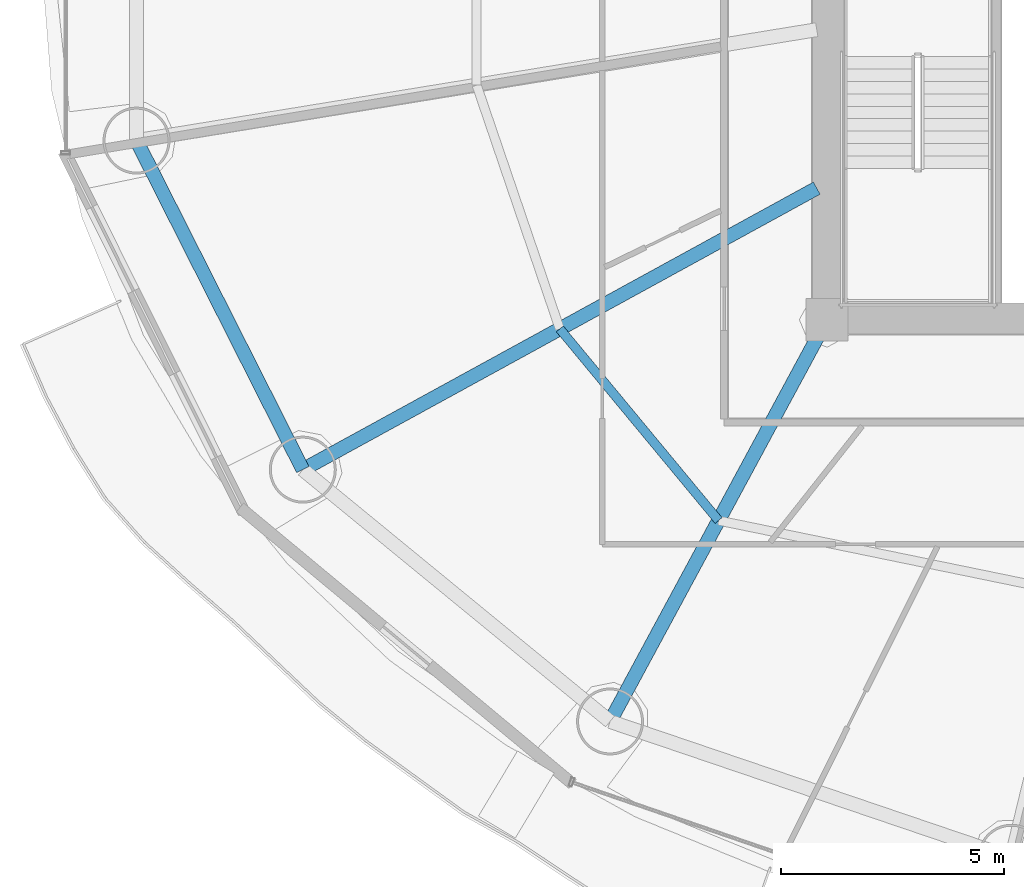
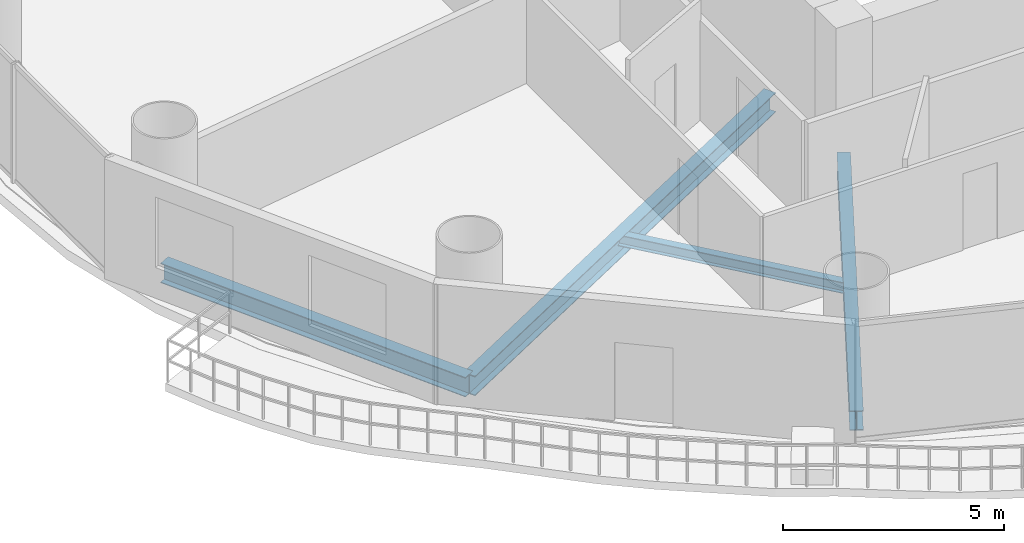
# One storey, part 3 of 29: 4 beams.
"""IFC4 building model written with IfcOpenShell, lengths in metres."""

from ifc_helpers import new_model, si_unit, direction, frame, origin, origin_2d, place, context, subcontext, project, spatial, i_section, extrude, material, material_profile, profile_set, type_object, element, save


model = new_model("IFC4")

# Units and contexts
model_context = context("Model", 3, precision=1e-05, world=origin(), true_north=direction((-0.2419218956, 0.970295726276)))
body_context = subcontext(model_context, "Body", "Model", "MODEL_VIEW")
ifc_project = project(units=[si_unit("LENGTHUNIT", "METRE"), si_unit("AREAUNIT", "SQUARE_METRE"), si_unit("VOLUMEUNIT", "CUBIC_METRE"), si_unit("PLANEANGLEUNIT", "RADIAN"), si_unit("MASSUNIT", "GRAM", prefix="KILO")], contexts=[model_context])

# Site, building, storey
site_placement = place(None, origin())
site = spatial("IfcSite", under=ifc_project, at=site_placement, CompositionType="ELEMENT")
building_placement = place(site_placement, origin())
building = spatial("IfcBuilding", under=site, at=building_placement, Name="Cobrevalo Terracotta Tower", CompositionType="ELEMENT")
storey_placement = place(building_placement, frame((0.0, 0.0, 83.39990234375)))
storey = spatial("IfcBuildingStorey", under=building, at=storey_placement, Name="L21", CompositionType="ELEMENT", Elevation=83.39990234375)

# Beams
ifc_material = material(Name="Steel S355", Category="steel")
ifc_material_profile_1 = material_profile(ifc_material, i_section(OverallWidth=0.31201171875, OverallDepth=0.54296875, WebThickness=0.0126953125, FlangeThickness=0.020263671875, at=origin_2d()), Name="W 530x150")
ifc_profile_set_1 = profile_set([ifc_material_profile_1], Name="Steel S355")
beam_type_1 = type_object("IfcBeamType", Name="Structural Beam W 530x150 (Steel S355)", PredefinedType="BEAM", material=ifc_profile_set_1)
beam_1_placement = place(storey_placement, frame((17.2548828125, 15.4384765625, -0.54638671875), z_axis=(0.877072765004, 0.480357538599, 0.0), x_axis=(-0.480357538599, 0.877072765004, 0.0)))
element("IfcBeam", 1, at=beam_1_placement, inside=storey, type_object=beam_type_1, Name="L21 radial floor girder 10", PredefinedType="BEAM", context=body_context, shape_type="SweptSolid", body=[
    extrude(i_section(OverallWidth=0.31201171875, OverallDepth=0.54296875, WebThickness=0.0126953125, FlangeThickness=0.020263671875, at=origin_2d()), origin(), (0.0, 0.0, 1.0), 13.129150390625),
])
beam_2_placement = place(storey_placement, frame((24.138427734375, 9.79638671875, -0.54638671875), z_axis=(0.475118249298, 0.879921956303, 0.0), x_axis=(-0.879921956303, 0.475118249298, 0.0)))
element("IfcBeam", 2, at=beam_2_placement, inside=storey, type_object=beam_type_1, Name="L21 radial floor girder 11", PredefinedType="BEAM", context=body_context, shape_type="SweptSolid", body=[
    extrude(i_section(OverallWidth=0.31201171875, OverallDepth=0.54296875, WebThickness=0.0126953125, FlangeThickness=0.020263671875, at=origin_2d()), origin(), (0.0, 0.0, 1.0), 10.232421875),
])
ifc_material_profile_2 = material_profile(ifc_material, i_section(OverallWidth=0.2041015625, OverallDepth=0.305908203125, WebThickness=0.008544921875, FlangeThickness=0.0146484375, at=origin_2d()), Name="W 310x67")
ifc_profile_set_2 = profile_set([ifc_material_profile_2], Name="Steel S355")
beam_type_2 = type_object("IfcBeamType", Name="Structural Joist W 310x67 (Steel S355)", PredefinedType="JOIST", material=ifc_profile_set_2)
beam_3_placement = place(storey_placement, frame((23.012451171875, 18.591796875, -0.427978515625), z_axis=(0.6379592588, -0.77007011636, 0.0), x_axis=(0.77007011636, 0.6379592588, 0.0)))
element("IfcBeam", 3, at=beam_3_placement, inside=storey, type_object=beam_type_2, Name="L21 circumferential secondary floor joist 10", PredefinedType="JOIST", context=body_context, shape_type="SweptSolid", body=[
    extrude(i_section(OverallWidth=0.2041015625, OverallDepth=0.305908203125, WebThickness=0.008544921875, FlangeThickness=0.0146484375, at=origin_2d()), origin(), (0.0, 0.0, 1.0), 5.575439453125),
])
ifc_material_profile_3 = material_profile(ifc_material, i_section(OverallWidth=0.31201171875, OverallDepth=0.54296875, WebThickness=0.0126953125, FlangeThickness=0.020263671875, at=origin_2d()), Name="W 530x150")
ifc_profile_set_3 = profile_set([ifc_material_profile_3], Name="Steel S355")
beam_type_3 = type_object("IfcBeamType", Name="Structural Spandrel W 530x150 (Steel S355)", PredefinedType="SPANDREL", material=ifc_profile_set_3)
beam_4_placement = place(storey_placement, frame((13.529296875, 22.810302734375, -0.54638671875), z_axis=(0.451051982172, -0.892497680321, 0.0), x_axis=(0.892497680321, 0.451051982172, 0.0)))
element("IfcBeam", 4, at=beam_4_placement, inside=storey, type_object=beam_type_3, Name="L21 perimeter ring spandrel 09", PredefinedType="SPANDREL", context=body_context, shape_type="SweptSolid", body=[
    extrude(i_section(OverallWidth=0.31201171875, OverallDepth=0.54296875, WebThickness=0.0126953125, FlangeThickness=0.020263671875, at=origin_2d()), origin(), (0.0, 0.0, 1.0), 8.259765625),
])

save(model, "model.ifc")
